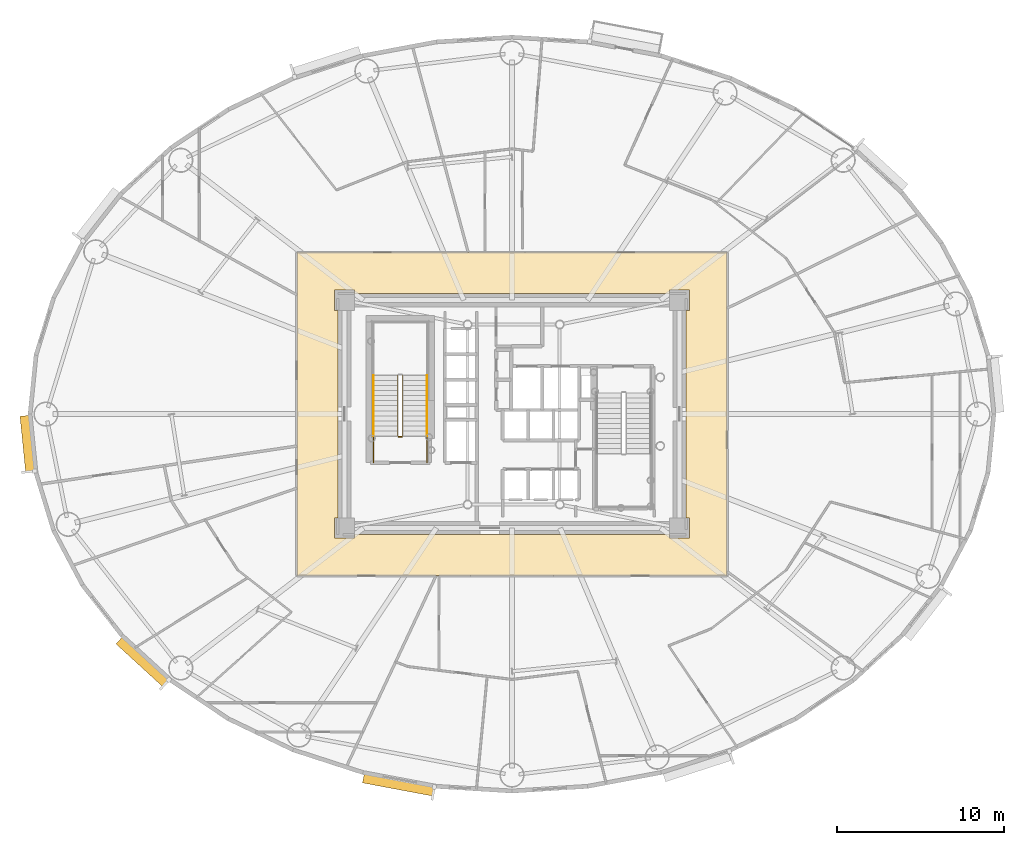
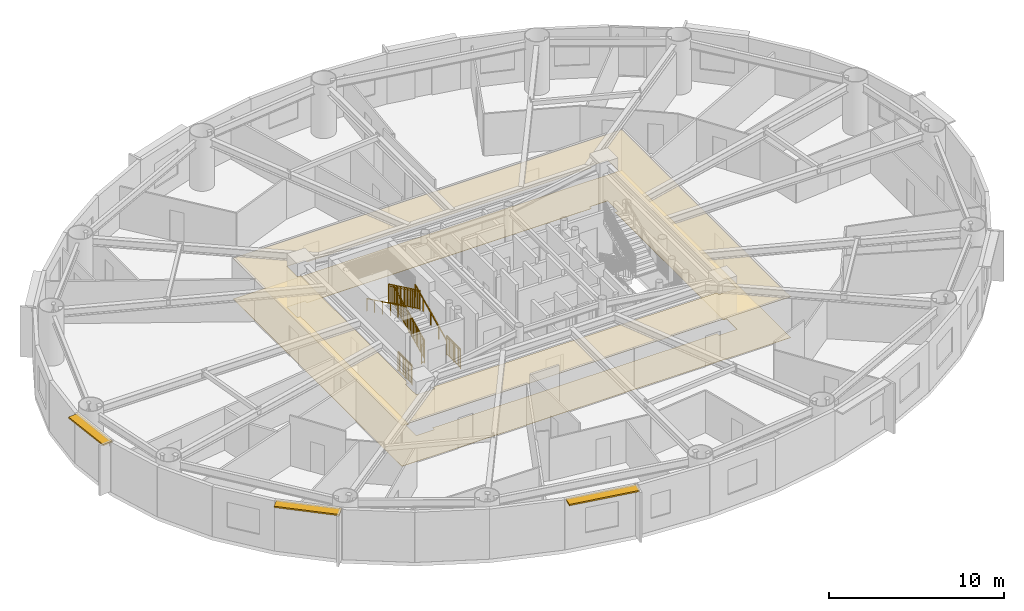
# One storey, part 17 of 21: 7 railings, 3 shading devices, 2 coverings.
"""IFC4 building model written with IfcOpenShell, lengths in metres."""

from ifc_helpers import new_model, si_unit, direction, frame, origin, origin_2d, place, context, subcontext, project, spatial, polyline, rectangle, outline, extrude, source, transform, mapped, material, layer, layer_set, type_object, element, save


model = new_model("IFC4")

# Units and contexts
model_context = context("Model", 3, precision=1e-05, world=origin(), true_north=direction((0.0, 1.0)))
body_context = subcontext(model_context, "Body", "Model", "MODEL_VIEW")
ifc_project = project(units=[si_unit("LENGTHUNIT", "METRE"), si_unit("AREAUNIT", "SQUARE_METRE"), si_unit("VOLUMEUNIT", "CUBIC_METRE"), si_unit("PLANEANGLEUNIT", "RADIAN"), si_unit("MASSUNIT", "GRAM", prefix="KILO")], contexts=[model_context])

# Site, building, storey
site_placement = place(None, origin())
site = spatial("IfcSite", under=ifc_project, at=site_placement, CompositionType="ELEMENT")
building_placement = place(site_placement, origin())
building = spatial("IfcBuilding", under=site, at=building_placement, Name="Linh Dai School and Residence Tower", CompositionType="ELEMENT")
storey_placement = place(building_placement, frame((0.0, 0.0, 134.699951171875)))
storey = spatial("IfcBuildingStorey", under=building, at=storey_placement, Name="L32", CompositionType="ELEMENT", Elevation=134.699951171875)

# Coverings
ifc_material_1 = material(Name="Mineral Fibre Acoustic Suspended Ceiling", Category="masonry")
ifc_layer_1 = layer(ifc_material_1, 0.02001953125)
ifc_layer_set_1 = layer_set([ifc_layer_1], Name="Mineral Fibre Acoustic Suspended Ceiling")
covering_type_1 = type_object("IfcCoveringType", Name="COV-CEIL-AC-20", PredefinedType="CEILING", material=ifc_layer_set_1)
covering_1_placement = place(storey_placement, frame((0.0, 0.0, 2.85009765625)))
element("IfcCovering", 1, at=covering_1_placement, inside=storey, type_object=covering_type_1, Name="L32 Residential Floor Corridor Suspended Ceiling", PredefinedType="CEILING", context=body_context, shape_type="SweptSolid", body=[
    extrude(outline(polyline([(48.85009765625, 36.64990234375), (48.85009765625, 17.35009765625), (23.14990234375, 17.35009765625), (23.14990234375, 36.64990234375), (48.85009765625, 36.64990234375)]), holes=[polyline([(26.60009765625, 34.199951171875), (26.60009765625, 34.39990234375), (25.39990234375, 34.39990234375), (25.39990234375, 33.199951171875), (25.60009765625, 33.199951171875), (25.60009765625, 20.800048828125), (25.39990234375, 20.800048828125), (25.39990234375, 19.60009765625), (26.60009765625, 19.60009765625), (26.60009765625, 19.800048828125), (45.39990234375, 19.800048828125), (45.39990234375, 19.60009765625), (46.60009765625, 19.60009765625), (46.60009765625, 20.800048828125), (46.39990234375, 20.800048828125), (46.39990234375, 33.199951171875), (46.60009765625, 33.199951171875), (46.60009765625, 34.39990234375), (45.39990234375, 34.39990234375), (45.39990234375, 34.199951171875), (26.60009765625, 34.199951171875)])]), origin(), (0.0, 0.0, 1.0), 0.02001953125),
])
ifc_material_2 = material(Name="Polished Terrazzo Floor Finish", Category="masonry")
ifc_layer_2 = layer(ifc_material_2, 0.02490234375)
ifc_layer_set_2 = layer_set([ifc_layer_2], Name="Polished Terrazzo Floor Finish")
covering_type_2 = type_object("IfcCoveringType", Name="COV-FLR-TRZ-25", PredefinedType="FLOORING", material=ifc_layer_set_2)
covering_2_placement = place(storey_placement, origin())
element("IfcCovering", 2, at=covering_2_placement, inside=storey, type_object=covering_type_2, Name="L32 Residential Floor Corridor Floor Finish", PredefinedType="FLOORING", context=body_context, shape_type="SweptSolid", body=[
    extrude(outline(polyline([(48.85009765625, 36.64990234375), (48.85009765625, 17.35009765625), (23.14990234375, 17.35009765625), (23.14990234375, 36.64990234375), (48.85009765625, 36.64990234375)]), holes=[polyline([(26.60009765625, 34.199951171875), (26.60009765625, 34.39990234375), (25.39990234375, 34.39990234375), (25.39990234375, 33.199951171875), (25.60009765625, 33.199951171875), (25.60009765625, 20.800048828125), (25.39990234375, 20.800048828125), (25.39990234375, 19.60009765625), (26.60009765625, 19.60009765625), (26.60009765625, 19.800048828125), (45.39990234375, 19.800048828125), (45.39990234375, 19.60009765625), (46.60009765625, 19.60009765625), (46.60009765625, 20.800048828125), (46.39990234375, 20.800048828125), (46.39990234375, 33.199951171875), (46.60009765625, 33.199951171875), (46.60009765625, 34.39990234375), (45.39990234375, 34.39990234375), (45.39990234375, 34.199951171875), (26.60009765625, 34.199951171875)])]), origin(), (0.0, 0.0, 1.0), 0.02001953125),
])

# Shading devices
ifc_material_3 = material(Name="Terracotta Ceramic Sunshade", Category="masonry")
ifc_layer_3 = layer(ifc_material_3, 0.10009765625)
ifc_layer_set_3 = layer_set([ifc_layer_3], Name="Terracotta Ceramic Sunshade")
shading_device_type = type_object("IfcShadingDeviceType", Name="SHD-TC-650", PredefinedType="USERDEFINED", material=ifc_layer_set_3)
shared_shape_1 = source(origin(), body_context, "Body", "SweptSolid", [
    extrude(rectangle(XDim=3.3916015625, YDim=0.64990234375, at=origin_2d()), origin(), (0.0, 0.0, 1.0), 0.10009765625),
])
shading_device_1_placement = place(storey_placement, frame((7.1181640625, 25.2138671875, 3.3798828125), z_axis=(0.0, 0.0, 1.0), x_axis=(-0.100007297192, 0.994986703684, 0.0)))
element("IfcShadingDevice", 3, at=shading_device_1_placement, inside=storey, type_object=shading_device_type, Name="L32 Terracotta Horizontal Sunshade Band 21", ObjectType="SUNSHADE", PredefinedType="USERDEFINED", context=body_context, shape_type="MappedRepresentation", body=[
    mapped(shared_shape_1, transform((0.0, 0.0, 0.0), x_axis=(1.0, 0.0, 0.0), y_axis=(0.0, 1.0, 0.0), z_axis=(0.0, 0.0, 1.0), scale=1.0)),
])
shared_shape_2 = source(origin(), body_context, "Body", "SweptSolid", [
    extrude(rectangle(XDim=3.81689453125, YDim=0.64990234375, at=origin_2d()), origin(), (0.0, 0.0, 1.0), 0.10009765625),
])
shading_device_2_placement = place(storey_placement, frame((13.983642578125, 12.22998046875, 3.3798828125), z_axis=(0.0, 0.0, 1.0), x_axis=(-0.737100266172, 0.675783395482, 0.0)))
element("IfcShadingDevice", 4, at=shading_device_2_placement, inside=storey, type_object=shading_device_type, Name="L32 Terracotta Horizontal Sunshade Band 25", ObjectType="SUNSHADE", PredefinedType="USERDEFINED", context=body_context, shape_type="MappedRepresentation", body=[
    mapped(shared_shape_2, transform((0.0, 0.0, 0.0), x_axis=(1.0, 0.0, 0.0), y_axis=(0.0, 1.0, 0.0), z_axis=(0.0, 0.0, 1.0), scale=1.0)),
])
shared_shape_3 = source(origin(), body_context, "Body", "SweptSolid", [
    extrude(rectangle(XDim=4.292236328125, YDim=0.64990234375, at=origin_2d()), origin(), (0.0, 0.0, 1.0), 0.10009765625),
])
shading_device_3_placement = place(storey_placement, frame((29.24462890625, 4.905517578125, 3.3798828125), z_axis=(0.0, 0.0, 1.0), x_axis=(-0.982784673718, 0.18475466193, 0.0)))
element("IfcShadingDevice", 5, at=shading_device_3_placement, inside=storey, type_object=shading_device_type, Name="L32 Terracotta Horizontal Sunshade Band 29", ObjectType="SUNSHADE", PredefinedType="USERDEFINED", context=body_context, shape_type="MappedRepresentation", body=[
    mapped(shared_shape_3, transform((0.0, 0.0, 0.0), x_axis=(1.0, 0.0, 0.0), y_axis=(0.0, 1.0, 0.0), z_axis=(0.0, 0.0, 1.0), scale=1.0)),
])

# Railings
ifc_material_4 = material(Name="Structural Steel S355JR", Category="steel")
railing_type_1 = type_object("IfcRailingType", Name="RL-ST-GUARD-1400", PredefinedType="GUARDRAIL", material=ifc_material_4)
shared_shape_4 = source(origin(), body_context, "Body", "SweptSolid", [
    extrude(rectangle(XDim=0.048095703125, YDim=0.048095703125, at=origin_2d()), frame((0.0, 0.0, 1.3759765625), z_axis=(-1.0, 0.0, 0.0), x_axis=(0.0, -1.0, 0.0)), (0.0, 0.0, 1.0), 0.199951171875),
    extrude(rectangle(XDim=0.048095703125, YDim=0.048095703125, at=origin_2d()), frame((0.0, 0.0, 0.10009765625), z_axis=(-1.0, 0.0, 0.0), x_axis=(0.0, -1.0, 0.0)), (0.0, 0.0, 1.0), 0.199951171875),
    extrude(rectangle(XDim=0.030029296875, YDim=0.030029296875, at=origin_2d()), frame((0.0, 0.0, 1.239990234375), z_axis=(-1.0, 0.0, 0.0), x_axis=(0.0, -1.0, 0.0)), (0.0, 0.0, 1.0), 0.199951171875),
    extrude(rectangle(XDim=0.0419921875, YDim=0.0419921875, at=origin_2d()), origin(), (0.0, 0.0, 1.0), 1.3759765625),
    extrude(rectangle(XDim=0.0419921875, YDim=0.0419921875, at=origin_2d()), frame((-0.199951171875, 0.0, 0.0)), (0.0, 0.0, 1.0), 1.3759765625),
])
railing_1_placement = place(storey_placement, frame((29.429931640625, 25.64990234375, 0.0)))
element("IfcRailing", 6, at=railing_1_placement, inside=storey, type_object=railing_type_1, Name="L32 ST1 stair guard 7", PredefinedType="GUARDRAIL", context=body_context, shape_type="MappedRepresentation", body=[
    mapped(shared_shape_4, transform((0.0, 0.0, 0.0), x_axis=(1.0, 0.0, 0.0), y_axis=(0.0, 1.0, 0.0), z_axis=(0.0, 0.0, 1.0), scale=1.0)),
])
shared_shape_5 = source(origin(), body_context, "Body", "SweptSolid", [
    extrude(rectangle(XDim=0.048095703125, YDim=0.048095703125, at=origin_2d()), frame((0.0, 0.0, 1.3759765625), z_axis=(0.0, 1.0, 0.0), x_axis=(-1.0, 0.0, 0.0)), (0.0, 0.0, 1.0), 1.599853515625),
    extrude(rectangle(XDim=0.048095703125, YDim=0.048095703125, at=origin_2d()), frame((0.0, 0.0, 0.10009765625), z_axis=(0.0, 1.0, 0.0), x_axis=(-1.0, 0.0, 0.0)), (0.0, 0.0, 1.0), 1.599853515625),
    extrude(rectangle(XDim=0.030029296875, YDim=0.030029296875, at=origin_2d()), frame((0.0, 0.0, 1.239990234375), z_axis=(0.0, 1.0, 0.0), x_axis=(-1.0, 0.0, 0.0)), (0.0, 0.0, 1.0), 1.599853515625),
    extrude(rectangle(XDim=0.02001953125, YDim=0.02001953125, at=origin_2d()), frame((0.0, 0.093994140625, 0.10009765625)), (0.0, 0.0, 1.0), 1.251708984375),
    extrude(rectangle(XDim=0.02001953125, YDim=0.02001953125, at=origin_2d()), frame((0.0, 0.188232421875, 0.10009765625)), (0.0, 0.0, 1.0), 1.251708984375),
    extrude(rectangle(XDim=0.02001953125, YDim=0.02001953125, at=origin_2d()), frame((0.0, 0.2822265625, 0.10009765625)), (0.0, 0.0, 1.0), 1.251708984375),
    extrude(rectangle(XDim=0.02001953125, YDim=0.02001953125, at=origin_2d()), frame((0.0, 0.37646484375, 0.10009765625)), (0.0, 0.0, 1.0), 1.251708984375),
    extrude(rectangle(XDim=0.02001953125, YDim=0.02001953125, at=origin_2d()), frame((0.0, 0.470458984375, 0.10009765625)), (0.0, 0.0, 1.0), 1.251708984375),
    extrude(rectangle(XDim=0.02001953125, YDim=0.02001953125, at=origin_2d()), frame((0.0, 0.564697265625, 0.10009765625)), (0.0, 0.0, 1.0), 1.251708984375),
    extrude(rectangle(XDim=0.02001953125, YDim=0.02001953125, at=origin_2d()), frame((0.0, 0.65869140625, 0.10009765625)), (0.0, 0.0, 1.0), 1.251708984375),
    extrude(rectangle(XDim=0.02001953125, YDim=0.02001953125, at=origin_2d()), frame((0.0, 0.7529296875, 0.10009765625)), (0.0, 0.0, 1.0), 1.251708984375),
    extrude(rectangle(XDim=0.02001953125, YDim=0.02001953125, at=origin_2d()), frame((0.0, 0.846923828125, 0.10009765625)), (0.0, 0.0, 1.0), 1.251708984375),
    extrude(rectangle(XDim=0.02001953125, YDim=0.02001953125, at=origin_2d()), frame((0.0, 0.941162109375, 0.10009765625)), (0.0, 0.0, 1.0), 1.251708984375),
    extrude(rectangle(XDim=0.02001953125, YDim=0.02001953125, at=origin_2d()), frame((0.0, 1.03515625, 0.10009765625)), (0.0, 0.0, 1.0), 1.251708984375),
    extrude(rectangle(XDim=0.02001953125, YDim=0.02001953125, at=origin_2d()), frame((0.0, 1.12939453125, 0.10009765625)), (0.0, 0.0, 1.0), 1.251708984375),
    extrude(rectangle(XDim=0.02001953125, YDim=0.02001953125, at=origin_2d()), frame((0.0, 1.223388671875, 0.10009765625)), (0.0, 0.0, 1.0), 1.251708984375),
    extrude(rectangle(XDim=0.02001953125, YDim=0.02001953125, at=origin_2d()), frame((0.0, 1.317626953125, 0.10009765625)), (0.0, 0.0, 1.0), 1.251708984375),
    extrude(rectangle(XDim=0.02001953125, YDim=0.02001953125, at=origin_2d()), frame((0.0, 1.41162109375, 0.10009765625)), (0.0, 0.0, 1.0), 1.251708984375),
    extrude(rectangle(XDim=0.02001953125, YDim=0.02001953125, at=origin_2d()), frame((0.0, 1.505859375, 0.10009765625)), (0.0, 0.0, 1.0), 1.251708984375),
    extrude(rectangle(XDim=0.0419921875, YDim=0.0419921875, at=origin_2d()), origin(), (0.0, 0.0, 1.0), 1.3759765625),
    extrude(rectangle(XDim=0.0419921875, YDim=0.0419921875, at=origin_2d()), frame((0.0, 0.7998046875, 0.0)), (0.0, 0.0, 1.0), 1.3759765625),
    extrude(rectangle(XDim=0.0419921875, YDim=0.0419921875, at=origin_2d()), frame((0.0, 1.599853515625, 0.0)), (0.0, 0.0, 1.0), 1.3759765625),
])
for number, where, name in (
    (7, (30.929931640625, 24.10009765625, 0.0), "L32 ST1 stair guard 8"),
    (8, (27.72998046875, 24.10009765625, 0.0), "L32 ST1 stair guard 9"),
):
    element("IfcRailing", number, at=place(storey_placement, frame(where)), inside=storey, type_object=railing_type_1, Name=name, PredefinedType="GUARDRAIL", context=body_context, shape_type="MappedRepresentation", body=[
        mapped(shared_shape_5, transform((0.0, 0.0, 0.0), x_axis=(1.0, 0.0, 0.0), y_axis=(0.0, 1.0, 0.0), z_axis=(0.0, 0.0, 1.0), scale=1.0)),
    ])
shared_shape_6 = source(origin(), body_context, "Body", "SweptSolid", [
    extrude(rectangle(XDim=0.048095703125, YDim=0.048095703125, at=origin_2d()), frame((0.0, 0.0, 1.3759765625), z_axis=(0.0, 0.901262522062, 0.433273431364), x_axis=(-1.0, 0.0, 0.0)), (0.0, 0.0, 1.0), 3.994384765625),
    extrude(rectangle(XDim=0.048095703125, YDim=0.048095703125, at=origin_2d()), frame((0.0, 0.0, 0.10009765625), z_axis=(0.0, 0.901262522062, 0.433273431364), x_axis=(-1.0, 0.0, 0.0)), (0.0, 0.0, 1.0), 3.994384765625),
    extrude(rectangle(XDim=0.030029296875, YDim=0.030029296875, at=origin_2d()), frame((0.0, 0.0, 1.239990234375), z_axis=(0.0, 0.901262522062, 0.433273431364), x_axis=(-1.0, 0.0, 0.0)), (0.0, 0.0, 1.0), 3.994384765625),
    extrude(rectangle(XDim=0.02001953125, YDim=0.02001953125, at=origin_2d()), frame((0.0, 0.087890625, 0.142333984375)), (0.0, 0.0, 1.0), 1.251708984375),
    extrude(rectangle(XDim=0.02001953125, YDim=0.02001953125, at=origin_2d()), frame((0.0, 0.175537109375, 0.1845703125)), (0.0, 0.0, 1.0), 1.251708984375),
    extrude(rectangle(XDim=0.02001953125, YDim=0.02001953125, at=origin_2d()), frame((0.0, 0.263427734375, 0.226806640625)), (0.0, 0.0, 1.0), 1.251708984375),
    extrude(rectangle(XDim=0.02001953125, YDim=0.02001953125, at=origin_2d()), frame((0.0, 0.351318359375, 0.26904296875)), (0.0, 0.0, 1.0), 1.251708984375),
    extrude(rectangle(XDim=0.02001953125, YDim=0.02001953125, at=origin_2d()), frame((0.0, 0.43896484375, 0.311279296875)), (0.0, 0.0, 1.0), 1.251708984375),
    extrude(rectangle(XDim=0.02001953125, YDim=0.02001953125, at=origin_2d()), frame((0.0, 0.52685546875, 0.353271484375)), (0.0, 0.0, 1.0), 1.251708984375),
    extrude(rectangle(XDim=0.02001953125, YDim=0.02001953125, at=origin_2d()), frame((0.0, 0.61474609375, 0.3955078125)), (0.0, 0.0, 1.0), 1.251708984375),
    extrude(rectangle(XDim=0.02001953125, YDim=0.02001953125, at=origin_2d()), frame((0.0, 0.702392578125, 0.437744140625)), (0.0, 0.0, 1.0), 1.251708984375),
    extrude(rectangle(XDim=0.02001953125, YDim=0.02001953125, at=origin_2d()), frame((0.0, 0.790283203125, 0.47998046875)), (0.0, 0.0, 1.0), 1.251708984375),
    extrude(rectangle(XDim=0.02001953125, YDim=0.02001953125, at=origin_2d()), frame((0.0, 0.9658203125, 0.564453125)), (0.0, 0.0, 1.0), 1.251708984375),
    extrude(rectangle(XDim=0.02001953125, YDim=0.02001953125, at=origin_2d()), frame((0.0, 1.0537109375, 0.606689453125)), (0.0, 0.0, 1.0), 1.251708984375),
    extrude(rectangle(XDim=0.02001953125, YDim=0.02001953125, at=origin_2d()), frame((0.0, 1.1416015625, 0.64892578125)), (0.0, 0.0, 1.0), 1.251708984375),
    extrude(rectangle(XDim=0.02001953125, YDim=0.02001953125, at=origin_2d()), frame((0.0, 1.229248046875, 0.691162109375)), (0.0, 0.0, 1.0), 1.251708984375),
    extrude(rectangle(XDim=0.02001953125, YDim=0.02001953125, at=origin_2d()), frame((0.0, 1.317138671875, 0.7333984375)), (0.0, 0.0, 1.0), 1.251708984375),
    extrude(rectangle(XDim=0.02001953125, YDim=0.02001953125, at=origin_2d()), frame((0.0, 1.405029296875, 0.775390625)), (0.0, 0.0, 1.0), 1.251708984375),
    extrude(rectangle(XDim=0.02001953125, YDim=0.02001953125, at=origin_2d()), frame((0.0, 1.49267578125, 0.817626953125)), (0.0, 0.0, 1.0), 1.251708984375),
    extrude(rectangle(XDim=0.02001953125, YDim=0.02001953125, at=origin_2d()), frame((0.0, 1.58056640625, 0.85986328125)), (0.0, 0.0, 1.0), 1.251708984375),
    extrude(rectangle(XDim=0.02001953125, YDim=0.02001953125, at=origin_2d()), frame((0.0, 1.66845703125, 0.902099609375)), (0.0, 0.0, 1.0), 1.251708984375),
    extrude(rectangle(XDim=0.02001953125, YDim=0.02001953125, at=origin_2d()), frame((0.0, 1.756103515625, 0.9443359375)), (0.0, 0.0, 1.0), 1.251708984375),
    extrude(rectangle(XDim=0.02001953125, YDim=0.02001953125, at=origin_2d()), frame((0.0, 1.843994140625, 0.986572265625)), (0.0, 0.0, 1.0), 1.251708984375),
    extrude(rectangle(XDim=0.02001953125, YDim=0.02001953125, at=origin_2d()), frame((0.0, 1.931640625, 1.02880859375)), (0.0, 0.0, 1.0), 1.251708984375),
    extrude(rectangle(XDim=0.02001953125, YDim=0.02001953125, at=origin_2d()), frame((0.0, 2.01953125, 1.071044921875)), (0.0, 0.0, 1.0), 1.251708984375),
    extrude(rectangle(XDim=0.02001953125, YDim=0.02001953125, at=origin_2d()), frame((0.0, 2.107421875, 1.11328125)), (0.0, 0.0, 1.0), 1.251708984375),
    extrude(rectangle(XDim=0.02001953125, YDim=0.02001953125, at=origin_2d()), frame((0.0, 2.195068359375, 1.155517578125)), (0.0, 0.0, 1.0), 1.251708984375),
    extrude(rectangle(XDim=0.02001953125, YDim=0.02001953125, at=origin_2d()), frame((0.0, 2.282958984375, 1.197509765625)), (0.0, 0.0, 1.0), 1.251708984375),
    extrude(rectangle(XDim=0.02001953125, YDim=0.02001953125, at=origin_2d()), frame((0.0, 2.370849609375, 1.23974609375)), (0.0, 0.0, 1.0), 1.251708984375),
    extrude(rectangle(XDim=0.02001953125, YDim=0.02001953125, at=origin_2d()), frame((0.0, 2.45849609375, 1.281982421875)), (0.0, 0.0, 1.0), 1.251708984375),
    extrude(rectangle(XDim=0.02001953125, YDim=0.02001953125, at=origin_2d()), frame((0.0, 2.54638671875, 1.32421875)), (0.0, 0.0, 1.0), 1.251708984375),
    extrude(rectangle(XDim=0.02001953125, YDim=0.02001953125, at=origin_2d()), frame((0.0, 2.63427734375, 1.366455078125)), (0.0, 0.0, 1.0), 1.251708984375),
    extrude(rectangle(XDim=0.02001953125, YDim=0.02001953125, at=origin_2d()), frame((0.0, 2.809814453125, 1.450927734375)), (0.0, 0.0, 1.0), 1.251708984375),
    extrude(rectangle(XDim=0.02001953125, YDim=0.02001953125, at=origin_2d()), frame((0.0, 2.897705078125, 1.4931640625)), (0.0, 0.0, 1.0), 1.251708984375),
    extrude(rectangle(XDim=0.02001953125, YDim=0.02001953125, at=origin_2d()), frame((0.0, 2.9853515625, 1.535400390625)), (0.0, 0.0, 1.0), 1.251708984375),
    extrude(rectangle(XDim=0.02001953125, YDim=0.02001953125, at=origin_2d()), frame((0.0, 3.0732421875, 1.57763671875)), (0.0, 0.0, 1.0), 1.251708984375),
    extrude(rectangle(XDim=0.02001953125, YDim=0.02001953125, at=origin_2d()), frame((0.0, 3.1611328125, 1.61962890625)), (0.0, 0.0, 1.0), 1.251708984375),
    extrude(rectangle(XDim=0.02001953125, YDim=0.02001953125, at=origin_2d()), frame((0.0, 3.248779296875, 1.661865234375)), (0.0, 0.0, 1.0), 1.251708984375),
    extrude(rectangle(XDim=0.02001953125, YDim=0.02001953125, at=origin_2d()), frame((0.0, 3.336669921875, 1.7041015625)), (0.0, 0.0, 1.0), 1.251708984375),
    extrude(rectangle(XDim=0.02001953125, YDim=0.02001953125, at=origin_2d()), frame((0.0, 3.424560546875, 1.746337890625)), (0.0, 0.0, 1.0), 1.251708984375),
    extrude(rectangle(XDim=0.02001953125, YDim=0.02001953125, at=origin_2d()), frame((0.0, 3.51220703125, 1.78857421875)), (0.0, 0.0, 1.0), 1.251708984375),
    extrude(rectangle(XDim=0.0419921875, YDim=0.0419921875, at=origin_2d()), origin(), (0.0, 0.0, 1.0), 1.3759765625),
    extrude(rectangle(XDim=0.0419921875, YDim=0.0419921875, at=origin_2d()), frame((0.0, 0.89990234375, 0.4326171875)), (0.0, 0.0, 1.0), 1.3759765625),
    extrude(rectangle(XDim=0.0419921875, YDim=0.0419921875, at=origin_2d()), frame((0.0, 1.800048828125, 0.865234375)), (0.0, 0.0, 1.0), 1.3759765625),
    extrude(rectangle(XDim=0.0419921875, YDim=0.0419921875, at=origin_2d()), frame((0.0, 2.7001953125, 1.298095703125)), (0.0, 0.0, 1.0), 1.3759765625),
    extrude(rectangle(XDim=0.0419921875, YDim=0.0419921875, at=origin_2d()), frame((0.0, 3.60009765625, 1.730712890625)), (0.0, 0.0, 1.0), 1.3759765625),
])
railing_2_placement = place(storey_placement, frame((29.47998046875, 25.699951171875, 0.144287109375)))
element("IfcRailing", 9, at=railing_2_placement, inside=storey, type_object=railing_type_1, Name="L32 ST1 stair guard 1", PredefinedType="GUARDRAIL", context=body_context, shape_type="MappedRepresentation", body=[
    mapped(shared_shape_6, transform((0.0, 0.0, 0.0), x_axis=(1.0, 0.0, 0.0), y_axis=(0.0, 1.0, 0.0), z_axis=(0.0, 0.0, 1.0), scale=1.0)),
])
shared_shape_7 = source(origin(), body_context, "Body", "SweptSolid", [
    extrude(rectangle(XDim=0.048095703125, YDim=0.048095703125, at=origin_2d()), frame((0.0, 0.0, 1.3759765625), z_axis=(0.0, -0.901262522062, 0.433273431364), x_axis=(1.0, 0.0, 0.0)), (0.0, 0.0, 1.0), 3.994384765625),
    extrude(rectangle(XDim=0.048095703125, YDim=0.048095703125, at=origin_2d()), frame((0.0, 0.0, 0.10009765625), z_axis=(0.0, -0.901262522062, 0.433273431364), x_axis=(1.0, 0.0, 0.0)), (0.0, 0.0, 1.0), 3.994384765625),
    extrude(rectangle(XDim=0.030029296875, YDim=0.030029296875, at=origin_2d()), frame((0.0, 0.0, 1.239990234375), z_axis=(0.0, -0.901262522062, 0.433273431364), x_axis=(1.0, 0.0, 0.0)), (0.0, 0.0, 1.0), 3.994384765625),
    extrude(rectangle(XDim=0.02001953125, YDim=0.02001953125, at=origin_2d()), frame((0.0, -0.087890625, 0.142333984375)), (0.0, 0.0, 1.0), 1.251708984375),
    extrude(rectangle(XDim=0.02001953125, YDim=0.02001953125, at=origin_2d()), frame((0.0, -0.175537109375, 0.1845703125)), (0.0, 0.0, 1.0), 1.251708984375),
    extrude(rectangle(XDim=0.02001953125, YDim=0.02001953125, at=origin_2d()), frame((0.0, -0.263427734375, 0.226806640625)), (0.0, 0.0, 1.0), 1.251708984375),
    extrude(rectangle(XDim=0.02001953125, YDim=0.02001953125, at=origin_2d()), frame((0.0, -0.351318359375, 0.26904296875)), (0.0, 0.0, 1.0), 1.251708984375),
    extrude(rectangle(XDim=0.02001953125, YDim=0.02001953125, at=origin_2d()), frame((0.0, -0.43896484375, 0.311279296875)), (0.0, 0.0, 1.0), 1.251708984375),
    extrude(rectangle(XDim=0.02001953125, YDim=0.02001953125, at=origin_2d()), frame((0.0, -0.52685546875, 0.353271484375)), (0.0, 0.0, 1.0), 1.251708984375),
    extrude(rectangle(XDim=0.02001953125, YDim=0.02001953125, at=origin_2d()), frame((0.0, -0.61474609375, 0.3955078125)), (0.0, 0.0, 1.0), 1.251708984375),
    extrude(rectangle(XDim=0.02001953125, YDim=0.02001953125, at=origin_2d()), frame((0.0, -0.702392578125, 0.437744140625)), (0.0, 0.0, 1.0), 1.251708984375),
    extrude(rectangle(XDim=0.02001953125, YDim=0.02001953125, at=origin_2d()), frame((0.0, -0.790283203125, 0.47998046875)), (0.0, 0.0, 1.0), 1.251708984375),
    extrude(rectangle(XDim=0.02001953125, YDim=0.02001953125, at=origin_2d()), frame((0.0, -0.9658203125, 0.564453125)), (0.0, 0.0, 1.0), 1.251708984375),
    extrude(rectangle(XDim=0.02001953125, YDim=0.02001953125, at=origin_2d()), frame((0.0, -1.0537109375, 0.606689453125)), (0.0, 0.0, 1.0), 1.251708984375),
    extrude(rectangle(XDim=0.02001953125, YDim=0.02001953125, at=origin_2d()), frame((0.0, -1.1416015625, 0.64892578125)), (0.0, 0.0, 1.0), 1.251708984375),
    extrude(rectangle(XDim=0.02001953125, YDim=0.02001953125, at=origin_2d()), frame((0.0, -1.229248046875, 0.691162109375)), (0.0, 0.0, 1.0), 1.251708984375),
    extrude(rectangle(XDim=0.02001953125, YDim=0.02001953125, at=origin_2d()), frame((0.0, -1.317138671875, 0.7333984375)), (0.0, 0.0, 1.0), 1.251708984375),
    extrude(rectangle(XDim=0.02001953125, YDim=0.02001953125, at=origin_2d()), frame((0.0, -1.405029296875, 0.775390625)), (0.0, 0.0, 1.0), 1.251708984375),
    extrude(rectangle(XDim=0.02001953125, YDim=0.02001953125, at=origin_2d()), frame((0.0, -1.49267578125, 0.817626953125)), (0.0, 0.0, 1.0), 1.251708984375),
    extrude(rectangle(XDim=0.02001953125, YDim=0.02001953125, at=origin_2d()), frame((0.0, -1.58056640625, 0.85986328125)), (0.0, 0.0, 1.0), 1.251708984375),
    extrude(rectangle(XDim=0.02001953125, YDim=0.02001953125, at=origin_2d()), frame((0.0, -1.66845703125, 0.902099609375)), (0.0, 0.0, 1.0), 1.251708984375),
    extrude(rectangle(XDim=0.02001953125, YDim=0.02001953125, at=origin_2d()), frame((0.0, -1.756103515625, 0.9443359375)), (0.0, 0.0, 1.0), 1.251708984375),
    extrude(rectangle(XDim=0.02001953125, YDim=0.02001953125, at=origin_2d()), frame((0.0, -1.843994140625, 0.986572265625)), (0.0, 0.0, 1.0), 1.251708984375),
    extrude(rectangle(XDim=0.02001953125, YDim=0.02001953125, at=origin_2d()), frame((0.0, -1.931640625, 1.02880859375)), (0.0, 0.0, 1.0), 1.251708984375),
    extrude(rectangle(XDim=0.02001953125, YDim=0.02001953125, at=origin_2d()), frame((0.0, -2.01953125, 1.071044921875)), (0.0, 0.0, 1.0), 1.251708984375),
    extrude(rectangle(XDim=0.02001953125, YDim=0.02001953125, at=origin_2d()), frame((0.0, -2.107421875, 1.11328125)), (0.0, 0.0, 1.0), 1.251708984375),
    extrude(rectangle(XDim=0.02001953125, YDim=0.02001953125, at=origin_2d()), frame((0.0, -2.195068359375, 1.155517578125)), (0.0, 0.0, 1.0), 1.251708984375),
    extrude(rectangle(XDim=0.02001953125, YDim=0.02001953125, at=origin_2d()), frame((0.0, -2.282958984375, 1.197509765625)), (0.0, 0.0, 1.0), 1.251708984375),
    extrude(rectangle(XDim=0.02001953125, YDim=0.02001953125, at=origin_2d()), frame((0.0, -2.370849609375, 1.23974609375)), (0.0, 0.0, 1.0), 1.251708984375),
    extrude(rectangle(XDim=0.02001953125, YDim=0.02001953125, at=origin_2d()), frame((0.0, -2.45849609375, 1.281982421875)), (0.0, 0.0, 1.0), 1.251708984375),
    extrude(rectangle(XDim=0.02001953125, YDim=0.02001953125, at=origin_2d()), frame((0.0, -2.54638671875, 1.32421875)), (0.0, 0.0, 1.0), 1.251708984375),
    extrude(rectangle(XDim=0.02001953125, YDim=0.02001953125, at=origin_2d()), frame((0.0, -2.63427734375, 1.366455078125)), (0.0, 0.0, 1.0), 1.251708984375),
    extrude(rectangle(XDim=0.02001953125, YDim=0.02001953125, at=origin_2d()), frame((0.0, -2.809814453125, 1.450927734375)), (0.0, 0.0, 1.0), 1.251708984375),
    extrude(rectangle(XDim=0.02001953125, YDim=0.02001953125, at=origin_2d()), frame((0.0, -2.897705078125, 1.4931640625)), (0.0, 0.0, 1.0), 1.251708984375),
    extrude(rectangle(XDim=0.02001953125, YDim=0.02001953125, at=origin_2d()), frame((0.0, -2.9853515625, 1.535400390625)), (0.0, 0.0, 1.0), 1.251708984375),
    extrude(rectangle(XDim=0.02001953125, YDim=0.02001953125, at=origin_2d()), frame((0.0, -3.0732421875, 1.57763671875)), (0.0, 0.0, 1.0), 1.251708984375),
    extrude(rectangle(XDim=0.02001953125, YDim=0.02001953125, at=origin_2d()), frame((0.0, -3.1611328125, 1.61962890625)), (0.0, 0.0, 1.0), 1.251708984375),
    extrude(rectangle(XDim=0.02001953125, YDim=0.02001953125, at=origin_2d()), frame((0.0, -3.248779296875, 1.661865234375)), (0.0, 0.0, 1.0), 1.251708984375),
    extrude(rectangle(XDim=0.02001953125, YDim=0.02001953125, at=origin_2d()), frame((0.0, -3.336669921875, 1.7041015625)), (0.0, 0.0, 1.0), 1.251708984375),
    extrude(rectangle(XDim=0.02001953125, YDim=0.02001953125, at=origin_2d()), frame((0.0, -3.424560546875, 1.746337890625)), (0.0, 0.0, 1.0), 1.251708984375),
    extrude(rectangle(XDim=0.02001953125, YDim=0.02001953125, at=origin_2d()), frame((0.0, -3.51220703125, 1.78857421875)), (0.0, 0.0, 1.0), 1.251708984375),
    extrude(rectangle(XDim=0.0419921875, YDim=0.0419921875, at=origin_2d()), origin(), (0.0, 0.0, 1.0), 1.3759765625),
    extrude(rectangle(XDim=0.0419921875, YDim=0.0419921875, at=origin_2d()), frame((0.0, -0.89990234375, 0.4326171875)), (0.0, 0.0, 1.0), 1.3759765625),
    extrude(rectangle(XDim=0.0419921875, YDim=0.0419921875, at=origin_2d()), frame((0.0, -1.800048828125, 0.865234375)), (0.0, 0.0, 1.0), 1.3759765625),
    extrude(rectangle(XDim=0.0419921875, YDim=0.0419921875, at=origin_2d()), frame((0.0, -2.7001953125, 1.298095703125)), (0.0, 0.0, 1.0), 1.3759765625),
    extrude(rectangle(XDim=0.0419921875, YDim=0.0419921875, at=origin_2d()), frame((0.0, -3.60009765625, 1.730712890625)), (0.0, 0.0, 1.0), 1.3759765625),
])
railing_3_placement = place(storey_placement, frame((29.179931640625, 29.300048828125, 2.019287109375)))
element("IfcRailing", 10, at=railing_3_placement, inside=storey, type_object=railing_type_1, Name="L32 ST1 stair guard 6", PredefinedType="GUARDRAIL", context=body_context, shape_type="MappedRepresentation", body=[
    mapped(shared_shape_7, transform((0.0, 0.0, 0.0), x_axis=(1.0, 0.0, 0.0), y_axis=(0.0, 1.0, 0.0), z_axis=(0.0, 0.0, 1.0), scale=1.0)),
])
ifc_material_5 = material(Name="Brushed Stainless Steel Handrail", Category="steel")
railing_type_2 = type_object("IfcRailingType", Name="RL-ST-HANDRAIL-900", PredefinedType="HANDRAIL", material=ifc_material_5)
shared_shape_8 = source(origin(), body_context, "Body", "SweptSolid", [
    extrude(rectangle(XDim=0.048095703125, YDim=0.048095703125, at=origin_2d()), frame((0.0, 0.0, 0.8759765625), z_axis=(0.0, 0.901262522062, 0.433273431364), x_axis=(-1.0, 0.0, 0.0)), (0.0, 0.0, 1.0), 3.994384765625),
    extrude(rectangle(XDim=0.0419921875, YDim=0.0419921875, at=origin_2d()), origin(), (0.0, 0.0, 1.0), 0.8759765625),
    extrude(rectangle(XDim=0.0419921875, YDim=0.0419921875, at=origin_2d()), frame((0.0, 0.89990234375, 0.4326171875)), (0.0, 0.0, 1.0), 0.8759765625),
    extrude(rectangle(XDim=0.0419921875, YDim=0.0419921875, at=origin_2d()), frame((0.0, 1.800048828125, 0.865234375)), (0.0, 0.0, 1.0), 0.8759765625),
    extrude(rectangle(XDim=0.0419921875, YDim=0.0419921875, at=origin_2d()), frame((0.0, 2.7001953125, 1.298095703125)), (0.0, 0.0, 1.0), 0.8759765625),
    extrude(rectangle(XDim=0.0419921875, YDim=0.0419921875, at=origin_2d()), frame((0.0, 3.60009765625, 1.730712890625)), (0.0, 0.0, 1.0), 0.8759765625),
])
railing_4_placement = place(storey_placement, frame((30.929931640625, 25.699951171875, 0.144287109375)))
element("IfcRailing", 11, at=railing_4_placement, inside=storey, type_object=railing_type_2, Name="L32 ST1 stair handrail 1", PredefinedType="HANDRAIL", context=body_context, shape_type="MappedRepresentation", body=[
    mapped(shared_shape_8, transform((0.0, 0.0, 0.0), x_axis=(1.0, 0.0, 0.0), y_axis=(0.0, 1.0, 0.0), z_axis=(0.0, 0.0, 1.0), scale=1.0)),
])
shared_shape_9 = source(origin(), body_context, "Body", "SweptSolid", [
    extrude(rectangle(XDim=0.048095703125, YDim=0.048095703125, at=origin_2d()), frame((0.0, 0.0, 0.8759765625), z_axis=(0.0, -0.901262522062, 0.433273431364), x_axis=(1.0, 0.0, 0.0)), (0.0, 0.0, 1.0), 3.994384765625),
    extrude(rectangle(XDim=0.0419921875, YDim=0.0419921875, at=origin_2d()), origin(), (0.0, 0.0, 1.0), 0.8759765625),
    extrude(rectangle(XDim=0.0419921875, YDim=0.0419921875, at=origin_2d()), frame((0.0, -0.89990234375, 0.4326171875)), (0.0, 0.0, 1.0), 0.8759765625),
    extrude(rectangle(XDim=0.0419921875, YDim=0.0419921875, at=origin_2d()), frame((0.0, -1.800048828125, 0.865234375)), (0.0, 0.0, 1.0), 0.8759765625),
    extrude(rectangle(XDim=0.0419921875, YDim=0.0419921875, at=origin_2d()), frame((0.0, -2.7001953125, 1.298095703125)), (0.0, 0.0, 1.0), 0.8759765625),
    extrude(rectangle(XDim=0.0419921875, YDim=0.0419921875, at=origin_2d()), frame((0.0, -3.60009765625, 1.730712890625)), (0.0, 0.0, 1.0), 0.8759765625),
])
railing_5_placement = place(storey_placement, frame((27.72998046875, 29.300048828125, 2.019287109375)))
element("IfcRailing", 12, at=railing_5_placement, inside=storey, type_object=railing_type_2, Name="L32 ST1 stair handrail 2", PredefinedType="HANDRAIL", context=body_context, shape_type="MappedRepresentation", body=[
    mapped(shared_shape_9, transform((0.0, 0.0, 0.0), x_axis=(1.0, 0.0, 0.0), y_axis=(0.0, 1.0, 0.0), z_axis=(0.0, 0.0, 1.0), scale=1.0)),
])

save(model, "model.ifc")
